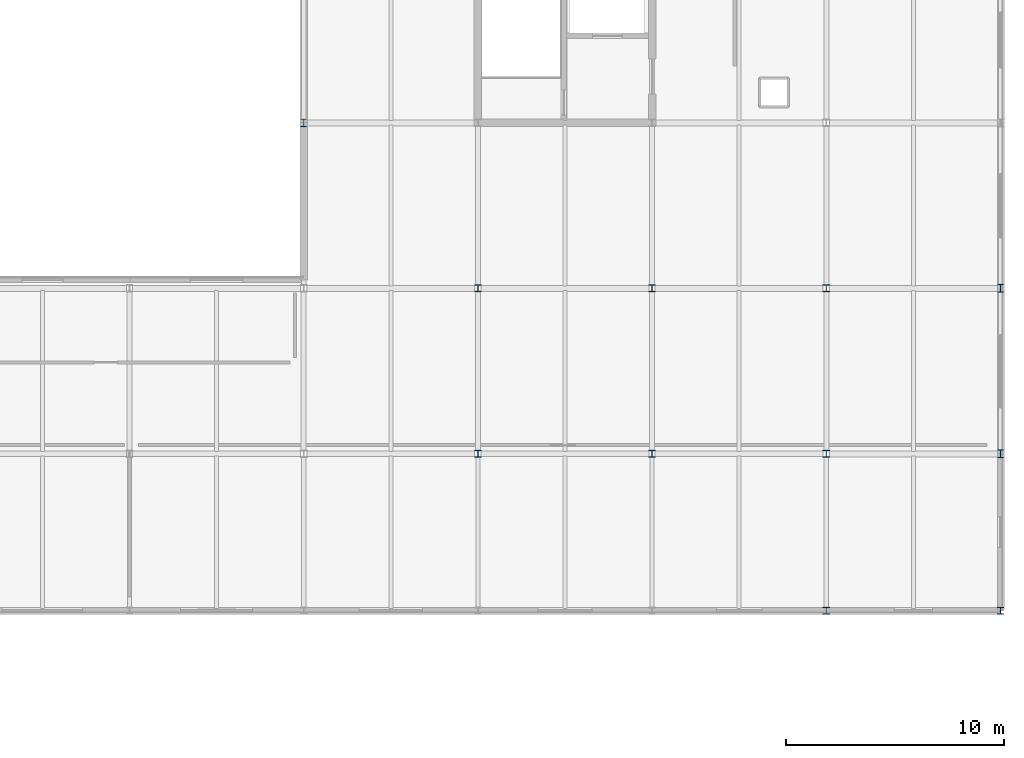
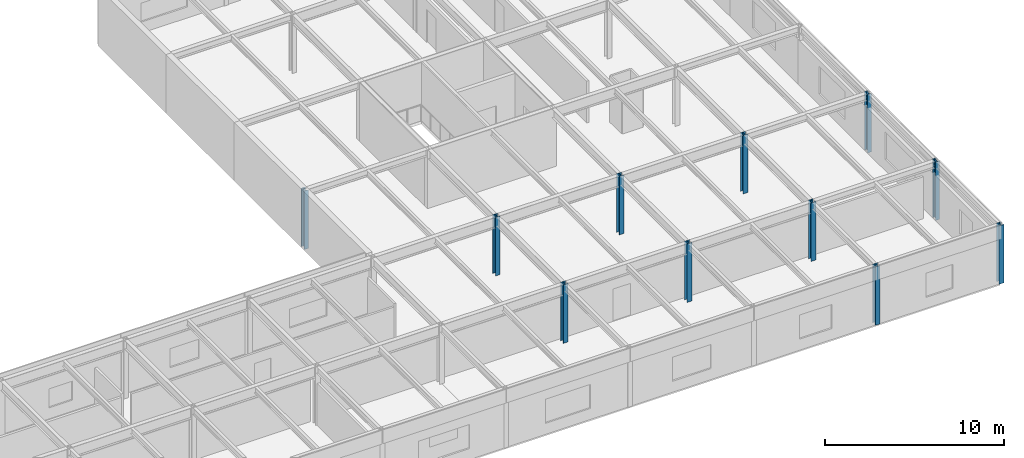
# One storey, part 6 of 33: 11 columns.
"""IFC4 building model written with IfcOpenShell, lengths in metres."""

import ifcopenshell
import ifcopenshell.guid

model = None  # the IFC model being written
_history = None  # IfcOwnerHistory: only IFC2X3 demands one
_inside = {}  # id of a spatial element -> (the spatial element, [elements in it])
_under = {}  # id of a project, library or spatial element -> (it, [spatial elements below it])
_declared = {}  # id of a project -> (the project, [libraries it declares])
_typed = {}  # id of a type object -> (the type object, [elements of that type])
_made_of = {}  # id of a material, layer set ... -> (it, [elements and type objects made of it])


def new_model(schema):
    """Start an empty IFC model of exactly this schema.

    Asked for "IFC4X3", IfcOpenShell would pick the latest addendum, in which some entities
    have other attributes; the version numbers below select the first issue.
    IFC2X3 requires an IfcOwnerHistory on every rooted entity: one is made here for all.
    """
    global model, _history
    if schema == "IFC4X3":
        model = ifcopenshell.file(schema_version=(4, 3, 0, 0))
    else:
        model = ifcopenshell.file(schema=schema)
    _inside.clear()
    _under.clear()
    _declared.clear()
    _typed.clear()
    _made_of.clear()
    _history = None
    if model.schema == "IFC2X3":
        org = make("IfcOrganization", Name="unknown")
        user = make(
            "IfcPersonAndOrganization",
            ThePerson=make("IfcPerson", FamilyName="unknown"),
            TheOrganization=org,
        )
        app = make(
            "IfcApplication",
            ApplicationDeveloper=org,
            Version="unknown",
            ApplicationFullName="unknown",
            ApplicationIdentifier="unknown",
        )
        _history = make(
            "IfcOwnerHistory",
            OwningUser=user,
            OwningApplication=app,
            ChangeAction="ADDED",
            CreationDate=0,
        )
    return model


def make(cls, **values):
    """One entity of the class cls with the attributes given. An attribute that is None is left unset."""
    return model.create_entity(
        cls, **{name: value for name, value in values.items() if value is not None}
    )


def rooted(cls, **values):
    """An entity with a GlobalId (a new one), such as an element, a storey or a relation."""
    return make(cls, GlobalId=ifcopenshell.guid.new(), OwnerHistory=_history, **values)


def si_unit(unit_type, name, prefix=None):
    """IfcSIUnit, for example si_unit("LENGTHUNIT", "METRE", prefix="MILLI")."""
    return make("IfcSIUnit", UnitType=unit_type, Prefix=prefix, Name=name)


def assignment(units):
    """IfcUnitAssignment: the units of a project."""
    return None if units is None else make("IfcUnitAssignment", Units=units)


def point(xyz):
    """IfcCartesianPoint."""
    return None if xyz is None else make("IfcCartesianPoint", Coordinates=xyz)


def direction(xyz):
    """IfcDirection."""
    return None if xyz is None else make("IfcDirection", DirectionRatios=xyz)


def frame(location, z_axis=None, x_axis=None):
    """IfcAxis2Placement3D, a coordinate frame: its origin and axes. An axis left out is left unset."""
    return make(
        "IfcAxis2Placement3D",
        Location=point(location),
        Axis=direction(z_axis),
        RefDirection=direction(x_axis),
    )


def frame_2d(location, x_axis=None):
    """IfcAxis2Placement2D, a coordinate frame in the plane: its origin and x axis."""
    return make(
        "IfcAxis2Placement2D", Location=point(location), RefDirection=direction(x_axis)
    )


def origin():
    """The frame at (0, 0, 0) with its axes left unset."""
    return frame((0.0, 0.0, 0.0))


def origin_2d():
    """The frame at (0, 0) in the plane with its x axis left unset."""
    return frame_2d((0.0, 0.0))


def place(relative_to, where):
    """IfcLocalPlacement: puts the frame where relative to a parent placement (None: the world)."""
    return make(
        "IfcLocalPlacement", PlacementRelTo=relative_to, RelativePlacement=where
    )


def context(
    kind, dimensions, precision=None, world=None, true_north=None, identifier=None
):
    """IfcGeometricRepresentationContext, for example the 3D "Model" context."""
    return make(
        "IfcGeometricRepresentationContext",
        ContextIdentifier=identifier,
        ContextType=kind,
        CoordinateSpaceDimension=dimensions,
        Precision=precision,
        WorldCoordinateSystem=world,
        TrueNorth=true_north,
    )


def subcontext(parent, identifier, kind, view, scale=None):
    """IfcGeometricRepresentationSubContext, for example "Body" below "Model"."""
    return make(
        "IfcGeometricRepresentationSubContext",
        ContextIdentifier=identifier,
        ContextType=kind,
        ParentContext=parent,
        TargetScale=scale,
        TargetView=view,
    )


def project(units=None, contexts=None):
    """IfcProject with its units and contexts."""
    return rooted(
        "IfcProject",
        Name="project",
        RepresentationContexts=contexts,
        UnitsInContext=assignment(units),
    )


def spatial(cls, under=None, at=None, **own):
    """A site, building, storey or space (cls), placed at a placement, below another one or the project."""
    s = rooted(cls, ObjectPlacement=at, **own)
    if under is not None:
        _under.setdefault(under.id(), (under, []))[1].append(s)
    return s


def profile(cls, at=None, kind="AREA", **sizes):
    """A parametric profile (cls). Its sizes go by their IFC names, for example OverallWidth=200.0."""
    return make(cls, ProfileType=kind, Position=at, **sizes)


def i_section(**sizes):
    """IfcIShapeProfileDef."""
    return profile("IfcIShapeProfileDef", **sizes)


def extrude(swept, where, along, depth):
    """IfcExtrudedAreaSolid: the profile swept, set in the frame where, extruded along a direction by depth."""
    return make(
        "IfcExtrudedAreaSolid",
        SweptArea=swept,
        Position=where,
        ExtrudedDirection=direction(along),
        Depth=depth,
    )


def shape(context_of_items, identifier, shape_type, items):
    """IfcShapeRepresentation: the items that make up one representation, for example the "Body"."""
    return make(
        "IfcShapeRepresentation",
        ContextOfItems=context_of_items,
        RepresentationIdentifier=identifier,
        RepresentationType=shape_type,
        Items=items,
    )


def material(Name=None, Category=None):
    """IfcMaterial."""
    return make("IfcMaterial", Name=Name, Category=Category)


def material_profile(
    of_material, cross_section, Name=None, Category=None, Priority=None
):
    """IfcMaterialProfile: a cross section and its material."""
    return make(
        "IfcMaterialProfile",
        Name=Name,
        Material=of_material,
        Profile=cross_section,
        Priority=Priority,
        Category=Category,
    )


def profile_set(profiles, Name=None, composite=None):
    """IfcMaterialProfileSet."""
    return make(
        "IfcMaterialProfileSet",
        Name=Name,
        MaterialProfiles=profiles,
        CompositeProfile=composite,
    )


def made_of(thing, what):
    """Note that an element or type object is made of a material, layer set ...; save() writes the relation."""
    if what is not None:
        _made_of.setdefault(what.id(), (what, []))[1].append(thing)
    return thing


def type_object(cls, material=None, **own):
    """A type object (cls), such as IfcWallType, which elements share."""
    return made_of(rooted(cls, **own), material)


def element(
    cls,
    number,
    at=None,
    inside=None,
    cuts=None,
    type_object=None,
    material=None,
    context=None,
    identifier="Body",
    shape_type=None,
    held_by="IfcProductDefinitionShape",
    body=None,
    shapes=None,
    **own,
):
    """One element of the class cls, such as IfcWall. Its Tag is "e" and its number.

    at: its placement. inside: the storey or other place that contains it. cuts: it is an
    opening in that element (IfcRelVoidsElement). A single representation is given by context,
    identifier, shape_type and body (its items); several are given by shapes. held_by: the class
    of the entity that holds the representations. save() writes the other relations.
    """
    e = rooted(cls, Tag="e%d" % number, ObjectPlacement=at, **own)
    if body is not None:
        shapes = [shape(context, identifier, shape_type, body)]
    if shapes is not None:
        e.Representation = make(held_by, Representations=shapes)
    if inside is not None:
        _inside.setdefault(inside.id(), (inside, []))[1].append(e)
    if cuts is not None:
        rooted(
            "IfcRelVoidsElement", RelatingBuildingElement=cuts, RelatedOpeningElement=e
        )
    if type_object is not None:
        _typed.setdefault(type_object.id(), (type_object, []))[1].append(e)
    return made_of(e, material)


def aggregate(whole, parts):
    """IfcRelAggregates: a whole, such as a stair, and the parts it consists of."""
    return rooted("IfcRelAggregates", RelatingObject=whole, RelatedObjects=parts)


def save(model, path):
    """Write the relations noted so far, then the file.

    IfcRelAggregates (storeys below a building ...), IfcRelContainedInSpatialStructure (elements
    in a storey), IfcRelDefinesByType, IfcRelAssociatesMaterial and IfcRelDeclares: one each for
    every whole, place, type object, material and project.
    """
    for whole, parts in _under.values():
        aggregate(whole, parts)
    for where, things in _inside.values():
        rooted(
            "IfcRelContainedInSpatialStructure",
            RelatedElements=things,
            RelatingStructure=where,
        )
    for kind, things in _typed.values():
        rooted("IfcRelDefinesByType", RelatedObjects=things, RelatingType=kind)
    for what, things in _made_of.values():
        rooted("IfcRelAssociatesMaterial", RelatedObjects=things, RelatingMaterial=what)
    for by, libraries in _declared.values():
        rooted("IfcRelDeclares", RelatingContext=by, RelatedDefinitions=libraries)
    model.write(path)


model = new_model("IFC4")

# Units and contexts
model_context = context("Model", 3, precision=1e-05, world=origin(), true_north=direction((0.0, 1.0)))
body_context = subcontext(model_context, "Body", "Model", "MODEL_VIEW")
ifc_project = project(units=[si_unit("LENGTHUNIT", "METRE"), si_unit("AREAUNIT", "SQUARE_METRE"), si_unit("VOLUMEUNIT", "CUBIC_METRE"), si_unit("PLANEANGLEUNIT", "RADIAN"), si_unit("MASSUNIT", "GRAM", prefix="KILO")], contexts=[model_context])

# Site, building, storey
site_placement = place(None, origin())
site = spatial("IfcSite", under=ifc_project, at=site_placement, CompositionType="ELEMENT")
building_placement = place(site_placement, origin())
building = spatial("IfcBuilding", under=site, at=building_placement, Name="Zulena Civic Courthouse", CompositionType="ELEMENT")
storey_placement = place(building_placement, frame((0.0, 0.0, 33.60009765625)))
storey = spatial("IfcBuildingStorey", under=building, at=storey_placement, Name="L07", CompositionType="ELEMENT", Elevation=33.60009765625)

# Columns
ifc_material = material(Name="Steel ASTM A992 Grade 50", Category="steel")
ifc_material_profile_1 = material_profile(ifc_material, i_section(OverallWidth=0.306884765625, OverallDepth=0.31396484375, WebThickness=0.011962890625, FlangeThickness=0.018798828125, FilletRadius=0.01513671875, at=origin_2d()), Name="W12X79")
ifc_profile_set_1 = profile_set([ifc_material_profile_1], Name="Steel ASTM A992 Grade 50")
column_type_1 = type_object("IfcColumnType", Name="Col_W12X79", PredefinedType="COLUMN", material=ifc_profile_set_1)
for number, where, z_axis, x_axis, name in (
    (1, (76.0, 53.199951171875, 0.0), (0.0, 0.0, 1.0), (1.0, 0.0, 0.0), "col:V5:L07:76.0:53.2"),
    (2, (76.0, 60.800048828125, 0.0), (0.0, 0.0, 1.0), (1.0, 0.0, 0.0), "col:V5:L07:76.0:60.8"),
    (3, (84.0, 53.199951171875, 0.0), (0.0, 0.0, 1.0), (1.0, 0.0, 0.0), "col:V5:L07:84.0:53.2"),
    (4, (84.0, 60.800048828125, 0.0), (0.0, 0.0, 1.0), (1.0, 0.0, 0.0), "col:V5:L07:84.0:60.8"),
    (5, (92.0, 46.0, 0.0), (0.0, 0.0, 1.0), (1.0, 0.0, 0.0), "col:V5:L07:92.0:46.0"),
    (6, (92.0, 53.199951171875, 0.0), (0.0, 0.0, 1.0), (1.0, 0.0, 0.0), "col:V5:L07:92.0:53.2"),
    (7, (92.0, 60.800048828125, 0.0), (0.0, 0.0, 1.0), (1.0, 0.0, 0.0), "col:V5:L07:92.0:60.8"),
    (8, (100.0, 46.0, 0.0), (0.0, 0.0, 1.0), (1.0, 0.0, 0.0), "col:V5:L07:100.0:46.0"),
):
    element("IfcColumn", number, at=place(storey_placement, frame(where, z_axis=z_axis, x_axis=x_axis)), inside=storey, type_object=column_type_1, Name=name, PredefinedType="COLUMN", context=body_context, shape_type="SweptSolid", body=[
        extrude(i_section(OverallWidth=0.306884765625, OverallDepth=0.31396484375, WebThickness=0.011962890625, FlangeThickness=0.018798828125, FilletRadius=0.01513671875, at=origin_2d()), origin(), (0.0, 0.0, 1.0), 3.994873046875),
    ])
ifc_material_profile_2 = material_profile(ifc_material, i_section(OverallWidth=0.2548828125, OverallDepth=0.35693359375, WebThickness=0.010498046875, FlangeThickness=0.018310546875, FilletRadius=0.01513671875, at=origin_2d()), Name="W14X68")
ifc_profile_set_2 = profile_set([ifc_material_profile_2], Name="Steel ASTM A992 Grade 50")
column_type_2 = type_object("IfcColumnType", Name="Col_W14X68", PredefinedType="COLUMN", material=ifc_profile_set_2)
for number, where, z_axis, x_axis, name in (
    (9, (68.0, 68.39990234375, 0.0), (0.0, 0.0, 1.0), (1.0, 0.0, 0.0), "col:V5:L07:68.0:68.4"),
    (10, (100.0, 53.199951171875, 0.0), (0.0, 0.0, 1.0), (1.0, 0.0, 0.0), "col:V5:L07:100.0:53.2"),
    (11, (100.0, 60.800048828125, 0.0), (0.0, 0.0, 1.0), (1.0, 0.0, 0.0), "col:V5:L07:100.0:60.8"),
):
    element("IfcColumn", number, at=place(storey_placement, frame(where, z_axis=z_axis, x_axis=x_axis)), inside=storey, type_object=column_type_2, Name=name, PredefinedType="COLUMN", context=body_context, shape_type="SweptSolid", body=[
        extrude(i_section(OverallWidth=0.2548828125, OverallDepth=0.35693359375, WebThickness=0.010498046875, FlangeThickness=0.018310546875, FilletRadius=0.01513671875, at=origin_2d()), origin(), (0.0, 0.0, 1.0), 3.994873046875),
    ])

save(model, "model.ifc")
